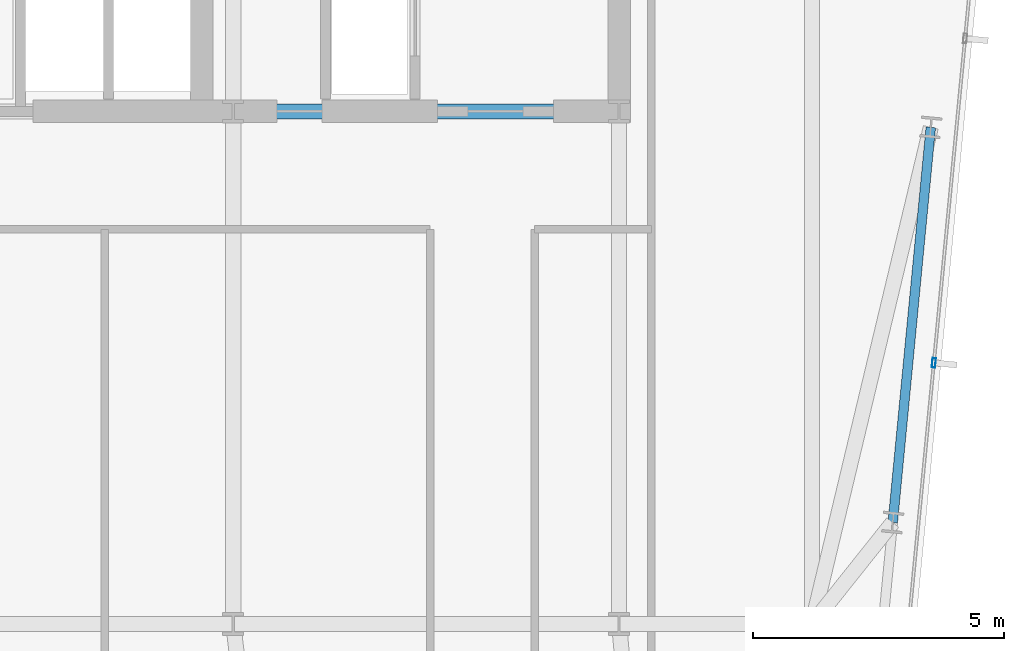
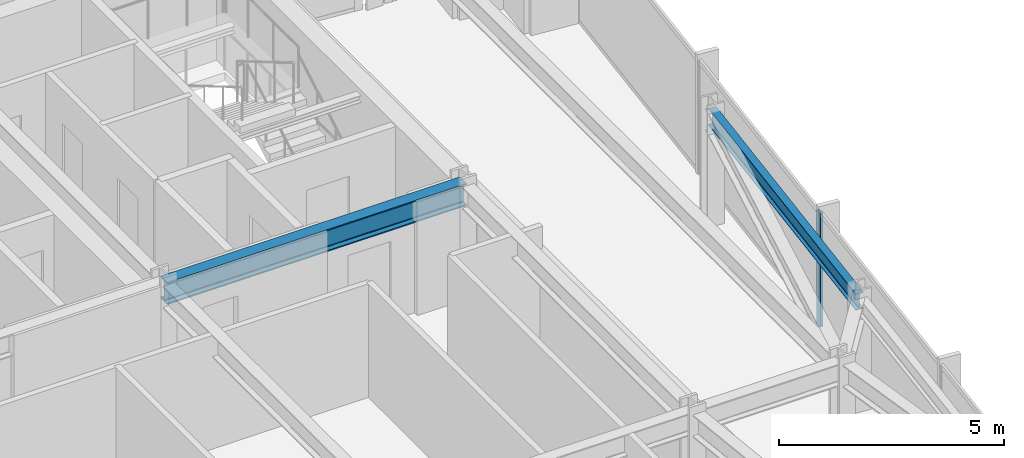
# One storey, part 18 of 38: 2 beams, 1 member, 1 element without a shape of its own.
"""IFC4 building model written with IfcOpenShell, lengths in metres."""

from ifc_helpers import new_model, si_unit, direction, frame, origin, origin_2d, place, context, subcontext, project, spatial, hollow_rectangle, i_section, extrude, material, material_profile, profile_set, type_object, element, aggregate, save


model = new_model("IFC4")

# Units and contexts
model_context = context("Model", 3, precision=1e-05, world=origin(), true_north=direction((0.0, 1.0)))
body_context = subcontext(model_context, "Body", "Model", "MODEL_VIEW")
ifc_project = project(units=[si_unit("LENGTHUNIT", "METRE"), si_unit("AREAUNIT", "SQUARE_METRE"), si_unit("VOLUMEUNIT", "CUBIC_METRE"), si_unit("PLANEANGLEUNIT", "RADIAN"), si_unit("MASSUNIT", "GRAM", prefix="KILO")], contexts=[model_context])

# Site, building, storey
site_placement = place(None, origin())
site = spatial("IfcSite", under=ifc_project, at=site_placement, CompositionType="ELEMENT")
building_placement = place(site_placement, origin())
building = spatial("IfcBuilding", under=site, at=building_placement, Name="Yelkora Congress Tower", CompositionType="ELEMENT")
storey_placement = place(building_placement, frame((0.0, 0.0, 185.300048828125)))
storey = spatial("IfcBuildingStorey", under=building, at=storey_placement, Name="L51", CompositionType="ELEMENT", Elevation=185.300048828125)

# Beams
ifc_material_1 = material(Name="Steel S355J2", Category="steel")
ifc_material_profile_1 = material_profile(ifc_material_1, i_section(OverallWidth=0.300048828125, OverallDepth=0.60009765625, WebThickness=0.015380859375, FlangeThickness=0.030029296875, FilletRadius=0.027099609375, at=origin_2d()), Name="HEB 600")
ifc_profile_set_1 = profile_set([ifc_material_profile_1], Name="Steel S355J2")
beam_type_1 = type_object("IfcBeamType", Name="BM-GIRD-HEB600", PredefinedType="BEAM", material=ifc_profile_set_1)
beam_1_placement = place(storey_placement, frame((46.080078125, 35.39990234375, 2.780029296875), z_axis=(1.0, 0.0, 0.0), x_axis=(0.0, 1.0, 0.0)))
element("IfcBeam", 1, at=beam_1_placement, inside=storey, type_object=beam_type_1, Name="L51 Core South Girder 4", PredefinedType="BEAM", context=body_context, shape_type="SweptSolid", body=[
    extrude(i_section(OverallWidth=0.300048828125, OverallDepth=0.60009765625, WebThickness=0.015380859375, FlangeThickness=0.030029296875, FilletRadius=0.027099609375, at=origin_2d()), origin(), (0.0, 0.0, 1.0), 7.679931640625),
])
ifc_material_profile_2 = material_profile(ifc_material_1, i_section(OverallWidth=0.18994140625, OverallDepth=0.449951171875, WebThickness=0.009521484375, FlangeThickness=0.0146484375, FilletRadius=0.02099609375, at=origin_2d()), Name="IPE 450")
ifc_profile_set_2 = profile_set([ifc_material_profile_2], Name="Steel S355J2")
beam_type_2 = type_object("IfcBeamType", Name="BM-SPAN-IPE450", PredefinedType="SPANDREL", material=ifc_profile_set_2)
beam_2_placement = place(storey_placement, frame((59.206298828125, 27.217529296875, 2.85498046875), z_axis=(0.095834301903, 0.99539730087, 0.0), x_axis=(-0.99539730087, 0.095834301903, 0.0)))
element("IfcBeam", 2, at=beam_2_placement, inside=storey, type_object=beam_type_2, Name="L51 Perimeter Beam 11", PredefinedType="SPANDREL", context=body_context, shape_type="SweptSolid", body=[
    extrude(i_section(OverallWidth=0.18994140625, OverallDepth=0.449951171875, WebThickness=0.009521484375, FlangeThickness=0.0146484375, FilletRadius=0.02099609375, at=origin_2d()), origin(), (0.0, 0.0, 1.0), 7.89990234375),
])

# Curtain wall, member
ifc_material_2 = material(Name="Anodised aluminium and insulated glass", Category="aluminium")
curtain_wall_type = type_object("IfcCurtainWallType", Name="CW-SYS-B3", PredefinedType="NOTDEFINED", material=ifc_material_2)
curtain_wall_placement = place(storey_placement, origin())
curtain_wall = element("IfcCurtainWall", 3, at=curtain_wall_placement, inside=storey, type_object=curtain_wall_type, Name="L51 Unitised Curtain Wall 15", PredefinedType="NOTDEFINED")
ifc_material_3 = material(Name="Anodised aluminium 6063-T6", Category="aluminium")
ifc_material_profile_3 = material_profile(ifc_material_3, hollow_rectangle(XDim=0.070068359375, YDim=0.18994140625, WallThickness=0.00390625, at=origin_2d()), Name="ALU 70x190x4")
ifc_profile_set_3 = profile_set([ifc_material_profile_3], Name="Anodised aluminium 6063-T6")
member_type = type_object("IfcMemberType", Name="MEM-ML-B3", PredefinedType="MULLION", material=ifc_profile_set_3)
member_placement = place(storey_placement, frame((60.024658203125, 30.395751953125, 0.0), z_axis=(0.0, 0.0, 1.0), x_axis=(0.995396565076, -0.095841944023, 0.0)))
member = element("IfcMember", 4, at=member_placement, type_object=member_type, Name="CW-B3 mullion 3", PredefinedType="MULLION", context=body_context, shape_type="SweptSolid", body=[
    extrude(hollow_rectangle(XDim=0.070068359375, YDim=0.18994140625, WallThickness=0.00390625, at=origin_2d()), origin(), (0.0, 0.0, 1.0), 3.079833984375),
])
aggregate(curtain_wall, [member])

save(model, "model.ifc")
